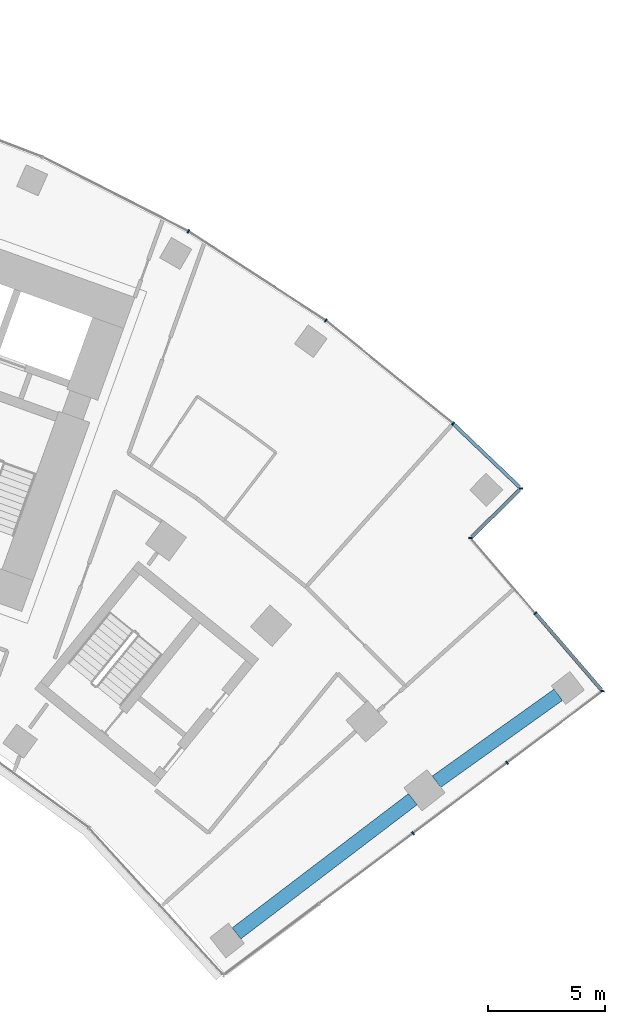
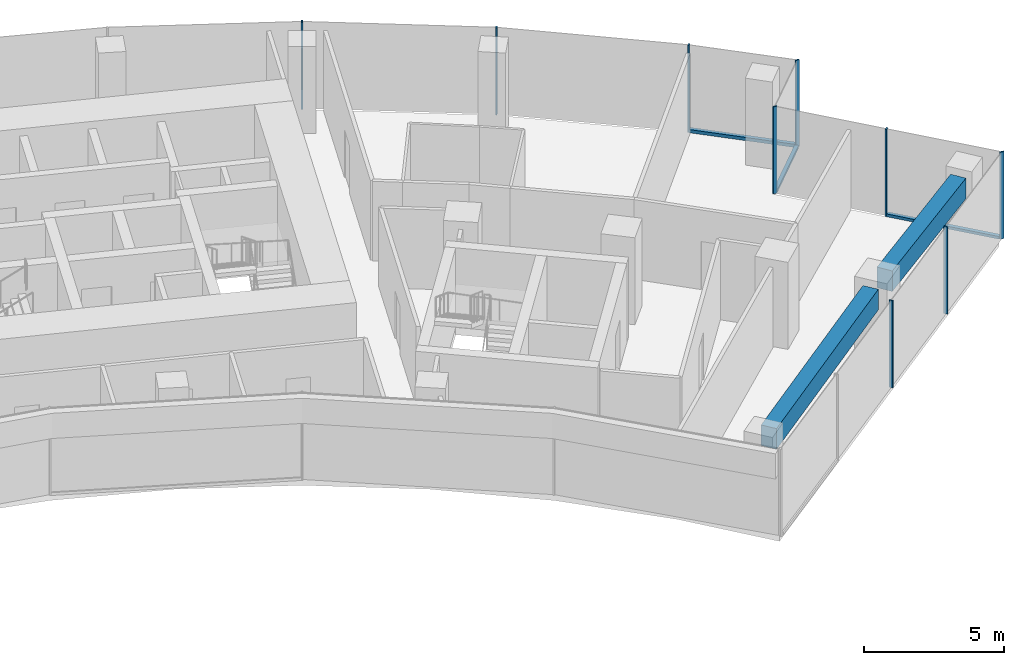
# One storey, part 9 of 20: 12 members, 2 beams, 4 elements without a shape of their own.
"""IFC4 building model written with IfcOpenShell, lengths in metres."""

from ifc_helpers import new_model, si_unit, direction, frame, origin, origin_2d, place, context, subcontext, project, spatial, rectangle, extrude, material, layer, layer_set, material_profile, profile_set, type_object, element, aggregate, save


model = new_model("IFC4")

# Units and contexts
model_context = context("Model", 3, precision=1e-05, world=origin(), true_north=direction((0.0, 1.0)))
body_context = subcontext(model_context, "Body", "Model", "MODEL_VIEW")
ifc_project = project(units=[si_unit("LENGTHUNIT", "METRE"), si_unit("AREAUNIT", "SQUARE_METRE"), si_unit("VOLUMEUNIT", "CUBIC_METRE"), si_unit("PLANEANGLEUNIT", "RADIAN"), si_unit("MASSUNIT", "GRAM", prefix="KILO")], contexts=[model_context])

# Site, building, storey
site_placement = place(None, origin())
site = spatial("IfcSite", under=ifc_project, at=site_placement, CompositionType="ELEMENT")
building_placement = place(site_placement, origin())
building = spatial("IfcBuilding", under=site, at=building_placement, Name="Stone Belt Terrace Tower", CompositionType="ELEMENT")
storey_placement = place(building_placement, frame((0.0, 0.0, 147.800048828125)))
storey = spatial("IfcBuildingStorey", under=building, at=storey_placement, Name="L35", CompositionType="ELEMENT", Elevation=147.800048828125)

# Curtain wall, members
ifc_material_1 = material(Name="Aluminium 6063-T6 anodised frame", Category="aluminium")
ifc_layer_1 = layer(ifc_material_1, 0.14990234375)
ifc_layer_set_1 = layer_set([ifc_layer_1], Name="CW-A unitised convex-face curtain wall")
curtain_wall_type_1 = type_object("IfcCurtainWallType", Name="CW-A unitised convex-face curtain wall", PredefinedType="NOTDEFINED", material=ifc_layer_set_1)
curtain_wall_1_placement = place(storey_placement, origin())
curtain_wall_1 = element("IfcCurtainWall", 1, at=curtain_wall_1_placement, inside=storey, type_object=curtain_wall_type_1, Name="CW-A convex face L35", PredefinedType="NOTDEFINED")
ifc_material_profile_1 = material_profile(ifc_material_1, rectangle(XDim=0.14990234375, YDim=0.06005859375, at=origin_2d()), Name="Aluminium 6063-T6 60x150")
ifc_profile_set_1 = profile_set([ifc_material_profile_1], Name="Aluminium 6063-T6 anodised frame")
member_type_1 = type_object("IfcMemberType", Name="CW-A mullion 60 x 150", PredefinedType="MULLION", material=ifc_profile_set_1)
member_1_placement = place(storey_placement, frame((47.4365234375, 46.715087890625, 0.0), z_axis=(0.0, 0.0, 1.0), x_axis=(-0.999966480105, -0.008187714406, 0.0)))
member_1 = element("IfcMember", 2, at=member_1_placement, type_object=member_type_1, Name="CW-A mullion 1", PredefinedType="MULLION", context=body_context, shape_type="SweptSolid", body=[
    extrude(rectangle(XDim=0.14990234375, YDim=0.06005859375, at=origin_2d()), origin(), (0.0, 0.0, 1.0), 3.800048828125),
])
member_2_placement = place(storey_placement, frame((44.546875, 49.4755859375, 0.0), z_axis=(0.0, 0.0, 1.0), x_axis=(-0.660573481499, -0.75076139721, 0.0)))
member_2 = element("IfcMember", 3, at=member_2_placement, type_object=member_type_1, Name="CW-A mullion 2", PredefinedType="MULLION", context=body_context, shape_type="SweptSolid", body=[
    extrude(rectangle(XDim=0.14990234375, YDim=0.06005859375, at=origin_2d()), origin(), (0.0, 0.0, 1.0), 3.800048828125),
])
member_3_placement = place(storey_placement, frame((39.1318359375, 53.8603515625, 0.0), z_axis=(0.0, 0.0, 1.0), x_axis=(-0.587785252292, -0.809016994375, 0.0)))
member_3 = element("IfcMember", 4, at=member_3_placement, type_object=member_type_1, Name="CW-A mullion 3", PredefinedType="MULLION", context=body_context, shape_type="SweptSolid", body=[
    extrude(rectangle(XDim=0.14990234375, YDim=0.06005859375, at=origin_2d()), origin(), (0.0, 0.0, 1.0), 3.800048828125),
])
member_4_placement = place(storey_placement, frame((33.28759765625, 57.65576171875, 0.0), z_axis=(0.0, 0.0, 1.0), x_axis=(-0.5, -0.866025403784, 0.0)))
member_4 = element("IfcMember", 5, at=member_4_placement, type_object=member_type_1, Name="CW-A mullion 4", PredefinedType="MULLION", context=body_context, shape_type="SweptSolid", body=[
    extrude(rectangle(XDim=0.14990234375, YDim=0.06005859375, at=origin_2d()), origin(), (0.0, 0.0, 1.0), 3.800048828125),
])
ifc_material_profile_2 = material_profile(ifc_material_1, rectangle(XDim=0.14990234375, YDim=0.139892578125, at=origin_2d()), Name="Aluminium 6063-T6 150x140")
ifc_profile_set_2 = profile_set([ifc_material_profile_2], Name="Aluminium 6063-T6 anodised frame")
member_type_2 = type_object("IfcMemberType", Name="CW-A transom 140 x 150", PredefinedType="USERDEFINED", material=ifc_profile_set_2)
member_5_placement = place(storey_placement, frame((47.382568359375, 46.766845703125, 0.070068359375), z_axis=(-0.723150258233, 0.690690744124, 0.0), x_axis=(-0.690690744124, -0.723150258233, 0.0)))
member_5 = element("IfcMember", 6, at=member_5_placement, type_object=member_type_2, Name="CW-A transom 1.1", ObjectType="TRANSOM", PredefinedType="USERDEFINED", context=body_context, shape_type="SweptSolid", body=[
    extrude(rectangle(XDim=0.14990234375, YDim=0.139892578125, at=origin_2d()), origin(), (0.0, 0.0, 1.0), 3.888671875),
])
aggregate(curtain_wall_1, [member_1, member_2, member_3, member_4, member_5])

ifc_layer_2 = layer(ifc_material_1, 0.14990234375)
ifc_layer_set_2 = layer_set([ifc_layer_2], Name="CW-C stick curtain wall, horn ends and notches")
curtain_wall_type_2 = type_object("IfcCurtainWallType", Name="CW-C stick curtain wall, horn ends and notches", PredefinedType="NOTDEFINED", material=ifc_layer_set_2)
curtain_wall_2_placement = place(storey_placement, origin())
curtain_wall_2 = element("IfcCurtainWall", 7, at=curtain_wall_2_placement, inside=storey, type_object=curtain_wall_type_2, Name="CW-C end face L35", PredefinedType="NOTDEFINED")
ifc_material_profile_3 = material_profile(ifc_material_1, rectangle(XDim=0.14990234375, YDim=0.06005859375, at=origin_2d()), Name="Aluminium 6063-T6 60x150")
ifc_profile_set_3 = profile_set([ifc_material_profile_3], Name="Aluminium 6063-T6 anodised frame")
member_type_3 = type_object("IfcMemberType", Name="CW-C mullion 60 x 150", PredefinedType="MULLION", material=ifc_profile_set_3)
member_6_placement = place(storey_placement, frame((42.84423828125, 32.041015625, 0.0), z_axis=(0.0, 0.0, 1.0), x_axis=(-0.600017992436, 0.799986505357, 0.0)))
member_6 = element("IfcMember", 8, at=member_6_placement, type_object=member_type_3, Name="CW-C mullion 3", PredefinedType="MULLION", context=body_context, shape_type="SweptSolid", body=[
    extrude(rectangle(XDim=0.14990234375, YDim=0.06005859375, at=origin_2d()), origin(), (0.0, 0.0, 1.0), 3.800048828125),
])
member_7_placement = place(storey_placement, frame((46.84423828125, 35.041015625, 0.0), z_axis=(0.0, 0.0, 1.0), x_axis=(-0.600017992436, 0.799986505357, 0.0)))
member_7 = element("IfcMember", 9, at=member_7_placement, type_object=member_type_3, Name="CW-C mullion 4", PredefinedType="MULLION", context=body_context, shape_type="SweptSolid", body=[
    extrude(rectangle(XDim=0.14990234375, YDim=0.06005859375, at=origin_2d()), origin(), (0.0, 0.0, 1.0), 3.800048828125),
])
aggregate(curtain_wall_2, [member_6, member_7])

curtain_wall_3_placement = place(storey_placement, origin())
curtain_wall_3 = element("IfcCurtainWall", 10, at=curtain_wall_3_placement, inside=storey, type_object=curtain_wall_type_2, Name="CW-C notch face L35", PredefinedType="NOTDEFINED")
member_8_placement = place(storey_placement, frame((50.908447265625, 38.08935546875, 0.0), z_axis=(0.0, 0.0, 1.0), x_axis=(-0.994169356535, 0.107829914807, 0.0)))
member_8 = element("IfcMember", 11, at=member_8_placement, type_object=member_type_3, Name="CW-C mullion 1", PredefinedType="MULLION", context=body_context, shape_type="SweptSolid", body=[
    extrude(rectangle(XDim=0.14990234375, YDim=0.06005859375, at=origin_2d()), origin(), (0.0, 0.0, 1.0), 3.800048828125),
])
member_9_placement = place(storey_placement, frame((48.05322265625, 41.40283203125, 0.0), z_axis=(0.0, 0.0, 1.0), x_axis=(-0.757583847343, -0.652737860281, 0.0)))
member_9 = element("IfcMember", 12, at=member_9_placement, type_object=member_type_3, Name="CW-C mullion 2", PredefinedType="MULLION", context=body_context, shape_type="SweptSolid", body=[
    extrude(rectangle(XDim=0.14990234375, YDim=0.06005859375, at=origin_2d()), origin(), (0.0, 0.0, 1.0), 3.800048828125),
])

# Curtain wall, member
curtain_wall_4_placement = place(storey_placement, origin())
curtain_wall_4 = element("IfcCurtainWall", 13, at=curtain_wall_4_placement, inside=storey, type_object=curtain_wall_type_2, Name="CW-C notch face L35", PredefinedType="NOTDEFINED")
member_10_placement = place(storey_placement, frame((45.29638671875, 44.602783203125, 0.0), z_axis=(0.0, 0.0, 1.0), x_axis=(-0.999185209744, 0.040359839301, 0.0)))
member_10 = element("IfcMember", 14, at=member_10_placement, type_object=member_type_3, Name="CW-C mullion 1", PredefinedType="MULLION", context=body_context, shape_type="SweptSolid", body=[
    extrude(rectangle(XDim=0.14990234375, YDim=0.06005859375, at=origin_2d()), origin(), (0.0, 0.0, 1.0), 3.800048828125),
])

# Member
ifc_material_profile_4 = material_profile(ifc_material_1, rectangle(XDim=0.14990234375, YDim=0.1201171875, at=origin_2d()), Name="Aluminium 6063-T6 150x120")
ifc_profile_set_4 = profile_set([ifc_material_profile_4], Name="Aluminium 6063-T6 anodised frame")
member_type_4 = type_object("IfcMemberType", Name="CW-C transom 120 x 150", PredefinedType="USERDEFINED", material=ifc_profile_set_4)
member_11_placement = place(storey_placement, frame((50.859130859375, 38.146240234375, 0.06005859375), z_axis=(-0.652743872196, 0.757578667407, 0.0), x_axis=(-0.757578667407, -0.652743872196, 0.0)))
member_11 = element("IfcMember", 15, at=member_11_placement, type_object=member_type_4, Name="CW-C transom 1.1", ObjectType="TRANSOM", PredefinedType="USERDEFINED", context=body_context, shape_type="SweptSolid", body=[
    extrude(rectangle(XDim=0.14990234375, YDim=0.1201171875, at=origin_2d()), origin(), (0.0, 0.0, 1.0), 4.268798828125),
])

aggregate(curtain_wall_3, [member_8, member_9, member_11])

member_12_placement = place(storey_placement, frame((45.348388671875, 44.654052734375, 0.06005859375), z_axis=(0.711744791626, 0.702438147877, 0.0), x_axis=(-0.702438147877, 0.711744791626, 0.0)))
member_12 = element("IfcMember", 16, at=member_12_placement, type_object=member_type_4, Name="CW-C transom 1.1", ObjectType="TRANSOM", PredefinedType="USERDEFINED", context=body_context, shape_type="SweptSolid", body=[
    extrude(rectangle(XDim=0.14990234375, YDim=0.1201171875, at=origin_2d()), origin(), (0.0, 0.0, 1.0), 2.859375),
])

aggregate(curtain_wall_4, [member_10, member_12])

# Beams
ifc_material_2 = material(Name="Concrete B60", Category="concrete")
ifc_material_profile_5 = material_profile(ifc_material_2, rectangle(XDim=0.60009765625, YDim=0.89990234375, at=origin_2d()), Name="RC 600x900")
ifc_profile_set_5 = profile_set([ifc_material_profile_5], Name="Concrete B60")
beam_type = type_object("IfcBeamType", Name="Edge beam RC 600x900 B60", PredefinedType="SPANDREL", material=ifc_profile_set_5)
beam_1_placement = place(storey_placement, frame((35.33203125, 27.779541015625, 3.030029296875), z_axis=(0.795702028976, 0.605688270552, 0.0), x_axis=(-0.605688270552, 0.795702028976, 0.0)))
element("IfcBeam", 17, at=beam_1_placement, inside=storey, type_object=beam_type, Name="Edge beam L35 B P to Q", PredefinedType="SPANDREL", context=body_context, shape_type="SweptSolid", body=[
    extrude(rectangle(XDim=0.60009765625, YDim=0.89990234375, at=origin_2d()), origin(), (0.0, 0.0, 1.0), 9.430908203125),
])
beam_2_placement = place(storey_placement, frame((43.842529296875, 34.23388671875, 3.030029296875), z_axis=(0.813774908454, 0.581180177201, 0.0), x_axis=(-0.581180177201, 0.813774908454, 0.0)))
element("IfcBeam", 18, at=beam_2_placement, inside=storey, type_object=beam_type, Name="Edge beam L35 B Q to R", PredefinedType="SPANDREL", context=body_context, shape_type="SweptSolid", body=[
    extrude(rectangle(XDim=0.60009765625, YDim=0.89990234375, at=origin_2d()), origin(), (0.0, 0.0, 1.0), 6.369140625),
])

save(model, "model.ifc")
